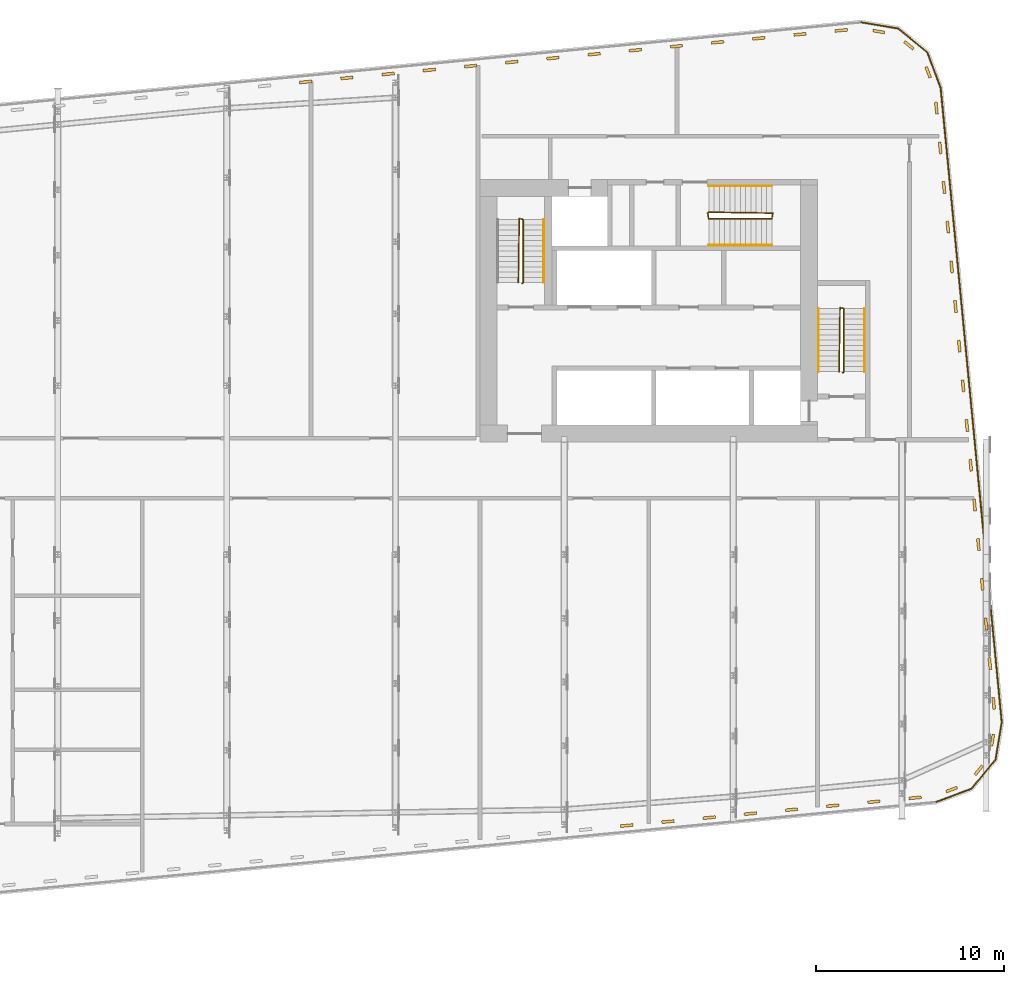
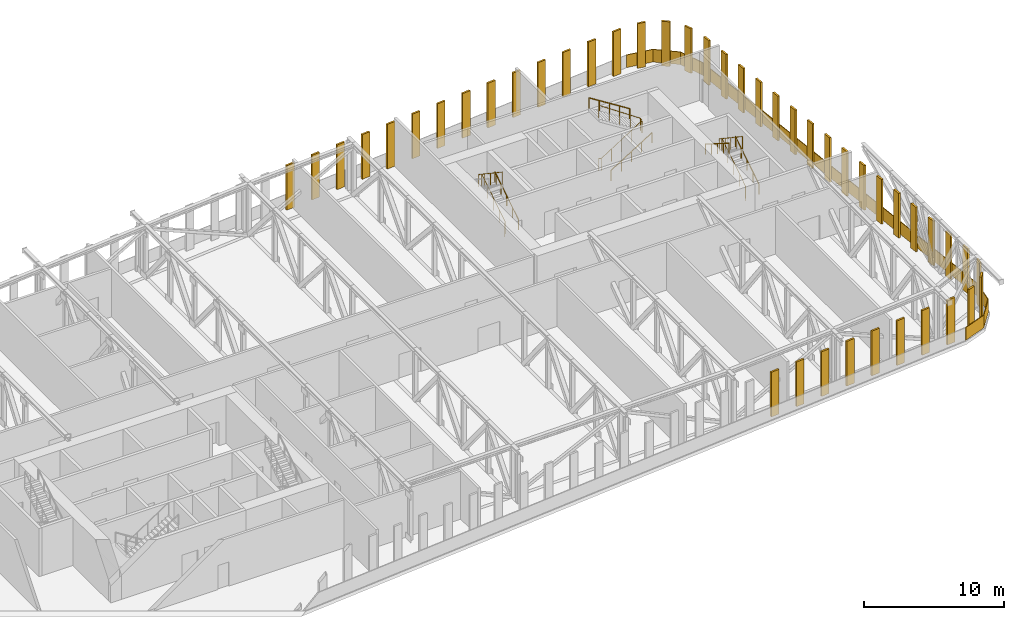
# One storey, part 26 of 26: 44 shading devices, 15 railings.
"""IFC4 building model written with IfcOpenShell, lengths in metres."""

from ifc_helpers import new_model, si_unit, direction, frame, origin, origin_2d, place, context, subcontext, project, spatial, polyline, rectangle, circle, outline, extrude, material, type_object, element, save


model = new_model("IFC4")

# Units and contexts
model_context = context("Model", 3, precision=1e-05, world=origin(), true_north=direction((0.0, 1.0)))
body_context = subcontext(model_context, "Body", "Model", "MODEL_VIEW")
ifc_project = project(units=[si_unit("LENGTHUNIT", "METRE"), si_unit("AREAUNIT", "SQUARE_METRE"), si_unit("VOLUMEUNIT", "CUBIC_METRE"), si_unit("PLANEANGLEUNIT", "RADIAN"), si_unit("MASSUNIT", "GRAM", prefix="KILO")], contexts=[model_context])

# Site, building, storey
site_placement = place(None, origin())
site = spatial("IfcSite", under=ifc_project, at=site_placement, CompositionType="ELEMENT")
building_placement = place(site_placement, origin())
building = spatial("IfcBuilding", under=site, at=building_placement, Name="Kajstack Hotel Tower", CompositionType="ELEMENT")
storey_placement = place(building_placement, frame((0.0, 0.0, 206.5)))
storey = spatial("IfcBuildingStorey", under=building, at=storey_placement, Name="L50", CompositionType="ELEMENT", Elevation=206.5)

# Railings
ifc_material = material(Name="Steel S355J2", Category="steel")
railing_type_1 = type_object("IfcRailingType", Name="GUARD-FACADE", PredefinedType="GUARDRAIL", material=ifc_material)
railing_1_placement = place(storey_placement, frame((37.81298828125, -17.691162109375, 0.0)))
element("IfcRailing", 1, at=railing_1_placement, inside=storey, type_object=railing_type_1, Name="Guard L50 slab edge 05", PredefinedType="GUARDRAIL", context=body_context, shape_type="SweptSolid", body=[
    extrude(outline(polyline([(1.884033203125, 0.736328125), (1.905029296875, 0.68017578125), (0.010498046875, -0.028076171875), (-0.010498046875, 0.028076171875), (1.884033203125, 0.736328125)])), origin(), (0.0, 0.0, 1.0), 1.10009765625),
])
railing_2_placement = place(storey_placement, frame((39.70751953125, -16.98291015625, 0.0)))
element("IfcRailing", 2, at=railing_2_placement, inside=storey, type_object=railing_type_1, Name="Guard L50 slab edge 06", PredefinedType="GUARDRAIL", context=body_context, shape_type="SweptSolid", body=[
    extrude(outline(polyline([(1.2529296875, 1.567138671875), (1.29931640625, 1.529052734375), (0.023193359375, -0.01904296875), (-0.023193359375, 0.01904296875), (1.2529296875, 1.567138671875)])), origin(), (0.0, 0.0, 1.0), 1.10009765625),
])
railing_3_placement = place(storey_placement, frame((40.983642578125, -15.434814453125, 0.0)))
element("IfcRailing", 3, at=railing_3_placement, inside=storey, type_object=railing_type_1, Name="Guard L50 slab edge 07", PredefinedType="GUARDRAIL", context=body_context, shape_type="SweptSolid", body=[
    extrude(outline(polyline([(0.30419921875, 1.999755859375), (0.36328125, 1.989990234375), (0.029541015625, -0.0048828125), (-0.029541015625, 0.0048828125), (0.30419921875, 1.999755859375)])), origin(), (0.0, 0.0, 1.0), 1.10009765625),
])
railing_4_placement = place(storey_placement, frame((41.3173828125, -13.43994140625, 0.0)))
element("IfcRailing", 4, at=railing_4_placement, inside=storey, type_object=railing_type_1, Name="Guard L50 slab edge 08", PredefinedType="GUARDRAIL", context=body_context, shape_type="SweptSolid", body=[
    extrude(outline(polyline([(-3.285400390625, 33.80908203125), (-3.225830078125, 33.81494140625), (0.02978515625, 0.0029296875), (-0.02978515625, -0.0029296875), (-3.285400390625, 33.80908203125)])), origin(), (0.0, 0.0, 1.0), 1.10009765625),
])
railing_5_placement = place(storey_placement, frame((38.061767578125, 20.3720703125, 0.0)))
element("IfcRailing", 5, at=railing_5_placement, inside=storey, type_object=railing_type_1, Name="Guard L50 slab edge 09", PredefinedType="GUARDRAIL", context=body_context, shape_type="SweptSolid", body=[
    extrude(outline(polyline([(-0.736572265625, 1.884033203125), (-0.680419921875, 1.905029296875), (0.028076171875, 0.010498046875), (-0.028076171875, -0.010498046875), (-0.736572265625, 1.884033203125)])), origin(), (0.0, 0.0, 1.0), 1.10009765625),
])
railing_6_placement = place(storey_placement, frame((37.353271484375, 22.2666015625, 0.0)))
element("IfcRailing", 6, at=railing_6_placement, inside=storey, type_object=railing_type_1, Name="Guard L50 slab edge 10", PredefinedType="GUARDRAIL", context=body_context, shape_type="SweptSolid", body=[
    extrude(outline(polyline([(-1.56689453125, 1.2529296875), (-1.52880859375, 1.29931640625), (0.01904296875, 0.023193359375), (-0.01904296875, -0.023193359375), (-1.56689453125, 1.2529296875)])), origin(), (0.0, 0.0, 1.0), 1.10009765625),
])
railing_7_placement = place(storey_placement, frame((35.805419921875, 23.542724609375, 0.0)))
element("IfcRailing", 7, at=railing_7_placement, inside=storey, type_object=railing_type_1, Name="Guard L50 slab edge 11", PredefinedType="GUARDRAIL", context=body_context, shape_type="SweptSolid", body=[
    extrude(outline(polyline([(-2.0, 0.30419921875), (-1.990234375, 0.36328125), (0.0048828125, 0.029541015625), (-0.0048828125, -0.029541015625), (-2.0, 0.30419921875)])), origin(), (0.0, 0.0, 1.0), 1.10009765625),
])
railing_type_2 = type_object("IfcRailingType", Name="Stair guard 1100", PredefinedType="GUARDRAIL", material=ifc_material)
railing_8_placement = place(storey_placement, frame((32.85009765625, 5.199951171875, 0.0)))
element("IfcRailing", 8, at=railing_8_placement, inside=storey, type_object=railing_type_2, Name="L50 E1 stair guard 1", PredefinedType="GUARDRAIL", context=body_context, shape_type="SweptSolid", body=[
    extrude(circle(Radius=0.02392578125, at=origin_2d()), frame((0.0, 0.0, 1.076171875), z_axis=(0.261352522353, 0.262633662168, 0.928826366204), x_axis=(-0.708833529934, 0.705375805398, 0.0)), (0.0, 0.0, 1.0), 0.190673828125),
    extrude(circle(Radius=0.02392578125, at=origin_2d()), frame((0.0498046875, 0.050048828125, 1.2529296875), z_axis=(0.0, 0.845389635667, 0.534150132366), x_axis=(-1.0, 0.0, 0.0)), (0.0, 0.0, 1.0), 3.974609375),
    extrude(circle(Radius=0.02392578125, at=origin_2d()), frame((0.0498046875, 3.41015625, 3.3759765625), z_axis=(-0.970351222016, 0.241699205484, 0.0), x_axis=(-0.241699205484, -0.970351222016, 0.0)), (0.0, 0.0, 1.0), 0.2060546875),
    extrude(circle(Radius=0.02392578125, at=origin_2d()), frame((-0.150146484375, 3.4599609375, 3.3759765625), z_axis=(-0.012167203753, -0.828972364935, 0.559157202696), x_axis=(0.999892303572, -0.014675873289, 0.0)), (0.0, 0.0, 1.0), 4.113525390625),
    extrude(circle(Radius=0.02099609375, at=origin_2d()), origin(), (0.0, 0.0, 1.0), 1.052001953125),
    extrude(circle(Radius=0.02099609375, at=origin_2d()), frame((0.0498046875, 0.050048828125, 0.177001953125)), (0.0, 0.0, 1.0), 1.052001953125),
    extrude(circle(Radius=0.02099609375, at=origin_2d()), frame((0.0498046875, 0.89013671875, 0.707763671875)), (0.0, 0.0, 1.0), 1.052001953125),
    extrude(circle(Radius=0.02099609375, at=origin_2d()), frame((0.0498046875, 1.72998046875, 1.238525390625)), (0.0, 0.0, 1.0), 1.052001953125),
    extrude(circle(Radius=0.02099609375, at=origin_2d()), frame((0.0498046875, 2.570068359375, 1.769287109375)), (0.0, 0.0, 1.0), 1.052001953125),
    extrude(circle(Radius=0.02099609375, at=origin_2d()), frame((0.0498046875, 3.41015625, 2.300048828125)), (0.0, 0.0, 1.0), 1.052001953125),
    extrude(circle(Radius=0.02099609375, at=origin_2d()), frame((-0.150146484375, 3.4599609375, 2.300048828125)), (0.0, 0.0, 1.0), 1.052001953125),
    extrude(circle(Radius=0.02099609375, at=origin_2d()), frame((-0.16259765625, 2.607421875, 2.875)), (0.0, 0.0, 1.0), 1.052001953125),
    extrude(circle(Radius=0.02099609375, at=origin_2d()), frame((-0.17529296875, 1.7548828125, 3.4501953125)), (0.0, 0.0, 1.0), 1.052001953125),
    extrude(circle(Radius=0.02099609375, at=origin_2d()), frame((-0.187744140625, 0.902587890625, 4.025146484375)), (0.0, 0.0, 1.0), 1.052001953125),
    extrude(circle(Radius=0.02099609375, at=origin_2d()), frame((-0.2001953125, 0.050048828125, 4.60009765625)), (0.0, 0.0, 1.0), 1.052001953125),
])
railing_9_placement = place(storey_placement, frame((15.75, 9.949951171875, 0.0)))
element("IfcRailing", 9, at=railing_9_placement, inside=storey, type_object=railing_type_2, Name="L50 E2 stair guard 1", PredefinedType="GUARDRAIL", context=body_context, shape_type="SweptSolid", body=[
    extrude(circle(Radius=0.02392578125, at=origin_2d()), frame((0.0, 0.0, 1.076171875), z_axis=(0.262545553595, 0.262545553595, 0.928514762713), x_axis=(-0.707106781187, 0.707106781187, 0.0)), (0.0, 0.0, 1.0), 0.190673828125),
    extrude(circle(Radius=0.02392578125, at=origin_2d()), frame((0.050048828125, 0.050048828125, 1.2529296875), z_axis=(0.0, 0.845389635667, 0.534150132366), x_axis=(-1.0, 0.0, 0.0)), (0.0, 0.0, 1.0), 3.974609375),
    extrude(circle(Radius=0.02392578125, at=origin_2d()), frame((0.050048828125, 3.41015625, 3.3759765625), z_axis=(-0.970351222016, 0.241699205484, 0.0), x_axis=(-0.241699205484, -0.970351222016, 0.0)), (0.0, 0.0, 1.0), 0.2060546875),
    extrude(circle(Radius=0.02392578125, at=origin_2d()), frame((-0.14990234375, 3.4599609375, 3.3759765625), z_axis=(-0.012167203753, -0.828972364935, 0.559157202696), x_axis=(0.999892303572, -0.014675873289, 0.0)), (0.0, 0.0, 1.0), 4.113525390625),
    extrude(circle(Radius=0.02099609375, at=origin_2d()), origin(), (0.0, 0.0, 1.0), 1.052001953125),
    extrude(circle(Radius=0.02099609375, at=origin_2d()), frame((0.050048828125, 0.050048828125, 0.177001953125)), (0.0, 0.0, 1.0), 1.052001953125),
    extrude(circle(Radius=0.02099609375, at=origin_2d()), frame((0.050048828125, 0.89013671875, 0.707763671875)), (0.0, 0.0, 1.0), 1.052001953125),
    extrude(circle(Radius=0.02099609375, at=origin_2d()), frame((0.050048828125, 1.72998046875, 1.238525390625)), (0.0, 0.0, 1.0), 1.052001953125),
    extrude(circle(Radius=0.02099609375, at=origin_2d()), frame((0.050048828125, 2.570068359375, 1.769287109375)), (0.0, 0.0, 1.0), 1.052001953125),
    extrude(circle(Radius=0.02099609375, at=origin_2d()), frame((0.050048828125, 3.41015625, 2.300048828125)), (0.0, 0.0, 1.0), 1.052001953125),
    extrude(circle(Radius=0.02099609375, at=origin_2d()), frame((-0.14990234375, 3.4599609375, 2.300048828125)), (0.0, 0.0, 1.0), 1.052001953125),
    extrude(circle(Radius=0.02099609375, at=origin_2d()), frame((-0.162353515625, 2.607421875, 2.875)), (0.0, 0.0, 1.0), 1.052001953125),
    extrude(circle(Radius=0.02099609375, at=origin_2d()), frame((-0.1748046875, 1.7548828125, 3.4501953125)), (0.0, 0.0, 1.0), 1.052001953125),
    extrude(circle(Radius=0.02099609375, at=origin_2d()), frame((-0.1875, 0.902587890625, 4.025146484375)), (0.0, 0.0, 1.0), 1.052001953125),
    extrude(circle(Radius=0.02099609375, at=origin_2d()), frame((-0.199951171875, 0.050048828125, 4.60009765625)), (0.0, 0.0, 1.0), 1.052001953125),
])
railing_10_placement = place(storey_placement, frame((25.64990234375, 13.699951171875, 0.0)))
element("IfcRailing", 10, at=railing_10_placement, inside=storey, type_object=railing_type_2, Name="L50 E3 stair guard 1", PredefinedType="GUARDRAIL", context=body_context, shape_type="SweptSolid", body=[
    extrude(circle(Radius=0.02392578125, at=origin_2d()), frame((0.0, 0.0, 1.076171875), z_axis=(0.142207198326, -0.852549496304, 0.502927896518), x_axis=(0.986372223864, 0.164529134168, 0.0)), (0.0, 0.0, 1.0), 0.35205078125),
    extrude(circle(Radius=0.02392578125, at=origin_2d()), frame((0.050048828125, -0.300048828125, 1.2529296875), z_axis=(0.845389635667, 0.0, 0.534150132366), x_axis=(0.0, 1.0, 0.0)), (0.0, 0.0, 1.0), 3.974609375),
    extrude(circle(Radius=0.02392578125, at=origin_2d()), frame((3.41015625, -0.300048828125, 3.3759765625), z_axis=(0.164529134168, 0.986372223864, 0.0), x_axis=(-0.986372223864, 0.164529134168, 0.0)), (0.0, 0.0, 1.0), 0.30419921875),
    extrude(circle(Radius=0.02392578125, at=origin_2d()), frame((3.460205078125, 0.0, 3.3759765625), z_axis=(-0.828990929223, 0.012166605133, 0.559129692455), x_axis=(-0.014674822837, -0.99989231899, 0.0)), (0.0, 0.0, 1.0), 4.113525390625),
    extrude(circle(Radius=0.02099609375, at=origin_2d()), origin(), (0.0, 0.0, 1.0), 1.052001953125),
    extrude(circle(Radius=0.02099609375, at=origin_2d()), frame((0.050048828125, -0.300048828125, 0.177001953125)), (0.0, 0.0, 1.0), 1.052001953125),
    extrude(circle(Radius=0.02099609375, at=origin_2d()), frame((0.89013671875, -0.300048828125, 0.707763671875)), (0.0, 0.0, 1.0), 1.052001953125),
    extrude(circle(Radius=0.02099609375, at=origin_2d()), frame((1.72998046875, -0.300048828125, 1.238525390625)), (0.0, 0.0, 1.0), 1.052001953125),
    extrude(circle(Radius=0.02099609375, at=origin_2d()), frame((2.570068359375, -0.300048828125, 1.769287109375)), (0.0, 0.0, 1.0), 1.052001953125),
    extrude(circle(Radius=0.02099609375, at=origin_2d()), frame((3.41015625, -0.300048828125, 2.300048828125)), (0.0, 0.0, 1.0), 1.052001953125),
    extrude(circle(Radius=0.02099609375, at=origin_2d()), frame((3.460205078125, 0.0, 2.300048828125)), (0.0, 0.0, 1.0), 1.052001953125),
    extrude(circle(Radius=0.02099609375, at=origin_2d()), frame((2.607666015625, 0.012451171875, 2.875)), (0.0, 0.0, 1.0), 1.052001953125),
    extrude(circle(Radius=0.02099609375, at=origin_2d()), frame((1.755126953125, 0.02490234375, 3.4501953125)), (0.0, 0.0, 1.0), 1.052001953125),
    extrude(circle(Radius=0.02099609375, at=origin_2d()), frame((0.902587890625, 0.03759765625, 4.025146484375)), (0.0, 0.0, 1.0), 1.052001953125),
    extrude(circle(Radius=0.02099609375, at=origin_2d()), frame((0.050048828125, 0.050048828125, 4.60009765625)), (0.0, 0.0, 1.0), 1.052001953125),
])
railing_type_3 = type_object("IfcRailingType", Name="Stair handrail 900", PredefinedType="HANDRAIL", material=ifc_material)
railing_11_placement = place(storey_placement, frame((34.0, 5.25, 0.177001953125)))
element("IfcRailing", 11, at=railing_11_placement, inside=storey, type_object=railing_type_3, Name="L50 E1 stair handrail 1", PredefinedType="HANDRAIL", context=body_context, shape_type="SweptSolid", body=[
    extrude(circle(Radius=0.02392578125, at=origin_2d()), frame((0.0, 0.0, 0.8759765625), z_axis=(0.0, 0.845389635667, 0.534150132366), x_axis=(-1.0, 0.0, 0.0)), (0.0, 0.0, 1.0), 3.974609375),
    extrude(circle(Radius=0.02099609375, at=origin_2d()), origin(), (0.0, 0.0, 1.0), 0.851806640625),
    extrude(circle(Radius=0.02099609375, at=origin_2d()), frame((0.0, 0.840087890625, 0.53076171875)), (0.0, 0.0, 1.0), 0.851806640625),
    extrude(circle(Radius=0.02099609375, at=origin_2d()), frame((0.0, 1.68017578125, 1.0615234375)), (0.0, 0.0, 1.0), 0.851806640625),
    extrude(circle(Radius=0.02099609375, at=origin_2d()), frame((0.0, 2.52001953125, 1.59228515625)), (0.0, 0.0, 1.0), 0.851806640625),
    extrude(circle(Radius=0.02099609375, at=origin_2d()), frame((0.0, 3.360107421875, 2.123046875)), (0.0, 0.0, 1.0), 0.851806640625),
])
railing_12_placement = place(storey_placement, frame((31.550048828125, 8.610107421875, 2.476806640625)))
element("IfcRailing", 12, at=railing_12_placement, inside=storey, type_object=railing_type_3, Name="L50 E1 stair handrail 2", PredefinedType="HANDRAIL", context=body_context, shape_type="SweptSolid", body=[
    extrude(circle(Radius=0.02392578125, at=origin_2d()), frame((0.0, 0.0, 0.8759765625), z_axis=(0.0, -0.845361898145, 0.534194029511), x_axis=(1.0, 0.0, 0.0)), (0.0, 0.0, 1.0), 3.974853515625),
    extrude(circle(Radius=0.02099609375, at=origin_2d()), origin(), (0.0, 0.0, 1.0), 0.851806640625),
    extrude(circle(Radius=0.02099609375, at=origin_2d()), frame((0.0, -0.840087890625, 0.53076171875)), (0.0, 0.0, 1.0), 0.851806640625),
    extrude(circle(Radius=0.02099609375, at=origin_2d()), frame((0.0, -1.68017578125, 1.0615234375)), (0.0, 0.0, 1.0), 0.851806640625),
    extrude(circle(Radius=0.02099609375, at=origin_2d()), frame((0.0, -2.52001953125, 1.592529296875)), (0.0, 0.0, 1.0), 0.851806640625),
    extrude(circle(Radius=0.02099609375, at=origin_2d()), frame((0.0, -3.360107421875, 2.123291015625)), (0.0, 0.0, 1.0), 0.851806640625),
])
railing_13_placement = place(storey_placement, frame((16.89990234375, 10.0, 0.177001953125)))
element("IfcRailing", 13, at=railing_13_placement, inside=storey, type_object=railing_type_3, Name="L50 E2 stair handrail 1", PredefinedType="HANDRAIL", context=body_context, shape_type="SweptSolid", body=[
    extrude(circle(Radius=0.02392578125, at=origin_2d()), frame((0.0, 0.0, 0.8759765625), z_axis=(0.0, 0.845389635667, 0.534150132366), x_axis=(-1.0, 0.0, 0.0)), (0.0, 0.0, 1.0), 3.974609375),
    extrude(circle(Radius=0.02099609375, at=origin_2d()), origin(), (0.0, 0.0, 1.0), 0.851806640625),
    extrude(circle(Radius=0.02099609375, at=origin_2d()), frame((0.0, 0.840087890625, 0.53076171875)), (0.0, 0.0, 1.0), 0.851806640625),
    extrude(circle(Radius=0.02099609375, at=origin_2d()), frame((0.0, 1.68017578125, 1.0615234375)), (0.0, 0.0, 1.0), 0.851806640625),
    extrude(circle(Radius=0.02099609375, at=origin_2d()), frame((0.0, 2.52001953125, 1.59228515625)), (0.0, 0.0, 1.0), 0.851806640625),
    extrude(circle(Radius=0.02099609375, at=origin_2d()), frame((0.0, 3.360107421875, 2.123046875)), (0.0, 0.0, 1.0), 0.851806640625),
])
railing_14_placement = place(storey_placement, frame((25.699951171875, 12.0, 0.177001953125)))
element("IfcRailing", 14, at=railing_14_placement, inside=storey, type_object=railing_type_3, Name="L50 E3 stair handrail 1", PredefinedType="HANDRAIL", context=body_context, shape_type="SweptSolid", body=[
    extrude(circle(Radius=0.02392578125, at=origin_2d()), frame((0.0, 0.0, 0.8759765625), z_axis=(0.845389635667, 0.0, 0.534150132366), x_axis=(0.0, 1.0, 0.0)), (0.0, 0.0, 1.0), 3.974609375),
    extrude(circle(Radius=0.02099609375, at=origin_2d()), origin(), (0.0, 0.0, 1.0), 0.851806640625),
    extrude(circle(Radius=0.02099609375, at=origin_2d()), frame((0.840087890625, 0.0, 0.53076171875)), (0.0, 0.0, 1.0), 0.851806640625),
    extrude(circle(Radius=0.02099609375, at=origin_2d()), frame((1.68017578125, 0.0, 1.0615234375)), (0.0, 0.0, 1.0), 0.851806640625),
    extrude(circle(Radius=0.02099609375, at=origin_2d()), frame((2.52001953125, 0.0, 1.59228515625)), (0.0, 0.0, 1.0), 0.851806640625),
    extrude(circle(Radius=0.02099609375, at=origin_2d()), frame((3.360107421875, 0.0, 2.123046875)), (0.0, 0.0, 1.0), 0.851806640625),
])
railing_15_placement = place(storey_placement, frame((29.06005859375, 15.14990234375, 2.476806640625)))
element("IfcRailing", 15, at=railing_15_placement, inside=storey, type_object=railing_type_3, Name="L50 E3 stair handrail 2", PredefinedType="HANDRAIL", context=body_context, shape_type="SweptSolid", body=[
    extrude(circle(Radius=0.02392578125, at=origin_2d()), frame((0.0, 0.0, 0.8759765625), z_axis=(-0.845361898145, 0.0, 0.534194029511), x_axis=(0.0, -1.0, 0.0)), (0.0, 0.0, 1.0), 3.974853515625),
    extrude(circle(Radius=0.02099609375, at=origin_2d()), origin(), (0.0, 0.0, 1.0), 0.851806640625),
    extrude(circle(Radius=0.02099609375, at=origin_2d()), frame((-0.840087890625, 0.0, 0.53076171875)), (0.0, 0.0, 1.0), 0.851806640625),
    extrude(circle(Radius=0.02099609375, at=origin_2d()), frame((-1.68017578125, 0.0, 1.0615234375)), (0.0, 0.0, 1.0), 0.851806640625),
    extrude(circle(Radius=0.02099609375, at=origin_2d()), frame((-2.52001953125, 0.0, 1.592529296875)), (0.0, 0.0, 1.0), 0.851806640625),
    extrude(circle(Radius=0.02099609375, at=origin_2d()), frame((-3.360107421875, 0.0, 2.123291015625)), (0.0, 0.0, 1.0), 0.851806640625),
])

# Shading devices
for number, where, z_axis, x_axis, name in (
    (16, (21.3291015625, -18.94677734375, 0.0), (0.0, 0.0, 1.0), (0.995396236842, 0.095845352943, 0.0), "Screen L50-04-27"),
    (17, (23.524658203125, -18.7353515625, 0.0), (0.0, 0.0, 1.0), (0.995396236842, 0.095845352943, 0.0), "Screen L50-04-28"),
    (18, (25.720458984375, -18.52392578125, 0.0), (0.0, 0.0, 1.0), (0.995396236842, 0.095845352943, 0.0), "Screen L50-04-29"),
    (19, (27.916259765625, -18.3125, 0.0), (0.0, 0.0, 1.0), (0.995396236842, 0.095845352943, 0.0), "Screen L50-04-30"),
    (20, (30.11181640625, -18.10107421875, 0.0), (0.0, 0.0, 1.0), (0.995396236842, 0.095845352943, 0.0), "Screen L50-04-31"),
    (21, (32.3076171875, -17.8896484375, 0.0), (0.0, 0.0, 1.0), (0.995396236842, 0.095845352943, 0.0), "Screen L50-04-32"),
    (22, (34.50341796875, -17.67822265625, 0.0), (0.0, 0.0, 1.0), (0.995396236842, 0.095845352943, 0.0), "Screen L50-04-33"),
    (23, (36.69921875, -17.466796875, 0.0), (0.0, 0.0, 1.0), (0.995396236842, 0.095845352943, 0.0), "Screen L50-04-34"),
):
    element("IfcShadingDevice", number, at=place(storey_placement, frame(where, z_axis=z_axis, x_axis=x_axis)), inside=storey, Name=name, ObjectType="SCREEN", PredefinedType="USERDEFINED", context=body_context, shape_type="SweptSolid", body=[
        extrude(rectangle(XDim=0.661865234375, YDim=0.14990234375, at=origin_2d()), origin(), (0.0, 0.0, 1.0), 3.89990234375),
    ])
for number, where, z_axis, x_axis, name in (
    (24, (38.652099609375, -17.025146484375, 0.0), (0.0, 0.0, 1.0), (0.936674084039, 0.35020231337, 0.0), "Screen L50-05-01"),
    (25, (40.0908203125, -15.9990234375, 0.0), (0.0, 0.0, 1.0), (0.636094825422, 0.771610894863, 0.0), "Screen L50-06-01"),
    (26, (40.82373046875, -14.390869140625, 0.0), (0.0, 0.0, 1.0), (0.165025485918, 0.986289302891, 0.0), "Screen L50-07-01"),
):
    element("IfcShadingDevice", number, at=place(storey_placement, frame(where, z_axis=z_axis, x_axis=x_axis)), inside=storey, Name=name, ObjectType="SCREEN", PredefinedType="USERDEFINED", context=body_context, shape_type="SweptSolid", body=[
        extrude(rectangle(XDim=0.62109375, YDim=0.14990234375, at=origin_2d()), origin(), (0.0, 0.0, 1.0), 3.89990234375),
    ])
for number, where, z_axis, x_axis, name in (
    (27, (40.888427734375, -12.4296875, 0.0), (0.0, 0.0, 1.0), (-0.095844327939, 0.995396335538, 0.0), "Screen L50-08-01"),
    (28, (40.684814453125, -10.314453125, 0.0), (0.0, 0.0, 1.0), (-0.095844327939, 0.995396335538, 0.0), "Screen L50-08-02"),
    (29, (40.481201171875, -8.19921875, 0.0), (0.0, 0.0, 1.0), (-0.095844327939, 0.995396335538, 0.0), "Screen L50-08-03"),
    (30, (40.277587890625, -6.083984375, 0.0), (0.0, 0.0, 1.0), (-0.095844327939, 0.995396335538, 0.0), "Screen L50-08-04"),
    (31, (40.073974609375, -3.96875, 0.0), (0.0, 0.0, 1.0), (-0.095844327939, 0.995396335538, 0.0), "Screen L50-08-05"),
    (32, (39.8701171875, -1.853515625, 0.0), (0.0, 0.0, 1.0), (-0.095844327939, 0.995396335538, 0.0), "Screen L50-08-06"),
    (33, (39.66650390625, 0.26171875, 0.0), (0.0, 0.0, 1.0), (-0.095844327939, 0.995396335538, 0.0), "Screen L50-08-07"),
    (34, (39.462890625, 2.376953125, 0.0), (0.0, 0.0, 1.0), (-0.095844327939, 0.995396335538, 0.0), "Screen L50-08-08"),
    (35, (39.25927734375, 4.4921875, 0.0), (0.0, 0.0, 1.0), (-0.095844327939, 0.995396335538, 0.0), "Screen L50-08-09"),
    (36, (39.055419921875, 6.607177734375, 0.0), (0.0, 0.0, 1.0), (-0.095844327939, 0.995396335538, 0.0), "Screen L50-08-10"),
    (37, (38.851806640625, 8.722412109375, 0.0), (0.0, 0.0, 1.0), (-0.095844327939, 0.995396335538, 0.0), "Screen L50-08-11"),
    (38, (38.648193359375, 10.837646484375, 0.0), (0.0, 0.0, 1.0), (-0.095844327939, 0.995396335538, 0.0), "Screen L50-08-12"),
    (39, (38.444580078125, 12.952880859375, 0.0), (0.0, 0.0, 1.0), (-0.095844327939, 0.995396335538, 0.0), "Screen L50-08-13"),
    (40, (38.24072265625, 15.068115234375, 0.0), (0.0, 0.0, 1.0), (-0.095844327939, 0.995396335538, 0.0), "Screen L50-08-14"),
    (41, (38.037109375, 17.183349609375, 0.0), (0.0, 0.0, 1.0), (-0.095844327939, 0.995396335538, 0.0), "Screen L50-08-15"),
    (42, (37.83349609375, 19.298583984375, 0.0), (0.0, 0.0, 1.0), (-0.095844327939, 0.995396335538, 0.0), "Screen L50-08-16"),
):
    element("IfcShadingDevice", number, at=place(storey_placement, frame(where, z_axis=z_axis, x_axis=x_axis)), inside=storey, Name=name, ObjectType="SCREEN", PredefinedType="USERDEFINED", context=body_context, shape_type="SweptSolid", body=[
        extrude(rectangle(XDim=0.637451171875, YDim=0.14990234375, at=origin_2d()), origin(), (0.0, 0.0, 1.0), 3.89990234375),
    ])
for number, where, z_axis, x_axis, name in (
    (43, (37.3955078125, 21.21142578125, 0.0), (0.0, 0.0, 1.0), (-0.35022884611, 0.936664163589, 0.0), "Screen L50-09-01"),
    (44, (36.369384765625, 22.650146484375, 0.0), (0.0, 0.0, 1.0), (-0.771615058078, 0.636089775227, 0.0), "Screen L50-10-01"),
    (45, (34.761474609375, 23.3828125, 0.0), (0.0, 0.0, 1.0), (-0.986289302891, 0.165025485918, 0.0), "Screen L50-11-01"),
):
    element("IfcShadingDevice", number, at=place(storey_placement, frame(where, z_axis=z_axis, x_axis=x_axis)), inside=storey, Name=name, ObjectType="SCREEN", PredefinedType="USERDEFINED", context=body_context, shape_type="SweptSolid", body=[
        extrude(rectangle(XDim=0.62109375, YDim=0.14990234375, at=origin_2d()), origin(), (0.0, 0.0, 1.0), 3.89990234375),
    ])
for number, where, z_axis, x_axis, name in (
    (46, (32.759765625, 23.44384765625, 0.0), (0.0, 0.0, 1.0), (-0.995396236842, -0.095845352943, 0.0), "Screen L50-12-01"),
    (47, (30.564208984375, 23.232421875, 0.0), (0.0, 0.0, 1.0), (-0.995396236842, -0.095845352943, 0.0), "Screen L50-12-02"),
    (48, (28.368408203125, 23.02099609375, 0.0), (0.0, 0.0, 1.0), (-0.995396236842, -0.095845352943, 0.0), "Screen L50-12-03"),
    (49, (26.172607421875, 22.8095703125, 0.0), (0.0, 0.0, 1.0), (-0.995396236842, -0.095845352943, 0.0), "Screen L50-12-04"),
    (50, (23.97705078125, 22.59814453125, 0.0), (0.0, 0.0, 1.0), (-0.995396236842, -0.095845352943, 0.0), "Screen L50-12-05"),
    (51, (21.78125, 22.38671875, 0.0), (0.0, 0.0, 1.0), (-0.995396236842, -0.095845352943, 0.0), "Screen L50-12-06"),
    (52, (19.58544921875, 22.17529296875, 0.0), (0.0, 0.0, 1.0), (-0.995396236842, -0.095845352943, 0.0), "Screen L50-12-07"),
    (53, (17.389892578125, 21.9638671875, 0.0), (0.0, 0.0, 1.0), (-0.995396236842, -0.095845352943, 0.0), "Screen L50-12-08"),
    (54, (15.194091796875, 21.75244140625, 0.0), (0.0, 0.0, 1.0), (-0.995396236842, -0.095845352943, 0.0), "Screen L50-12-09"),
    (55, (12.998291015625, 21.541015625, 0.0), (0.0, 0.0, 1.0), (-0.995396236842, -0.095845352943, 0.0), "Screen L50-12-10"),
    (56, (10.802490234375, 21.32958984375, 0.0), (0.0, 0.0, 1.0), (-0.995396236842, -0.095845352943, 0.0), "Screen L50-12-11"),
    (57, (8.60693359375, 21.1181640625, 0.0), (0.0, 0.0, 1.0), (-0.995396236842, -0.095845352943, 0.0), "Screen L50-12-12"),
    (58, (6.4111328125, 20.90673828125, 0.0), (0.0, 0.0, 1.0), (-0.995396236842, -0.095845352943, 0.0), "Screen L50-12-13"),
    (59, (4.21533203125, 20.6953125, 0.0), (0.0, 0.0, 1.0), (-0.995396236842, -0.095845352943, 0.0), "Screen L50-12-14"),
):
    element("IfcShadingDevice", number, at=place(storey_placement, frame(where, z_axis=z_axis, x_axis=x_axis)), inside=storey, Name=name, ObjectType="SCREEN", PredefinedType="USERDEFINED", context=body_context, shape_type="SweptSolid", body=[
        extrude(rectangle(XDim=0.661865234375, YDim=0.14990234375, at=origin_2d()), origin(), (0.0, 0.0, 1.0), 3.89990234375),
    ])

save(model, "model.ifc")
